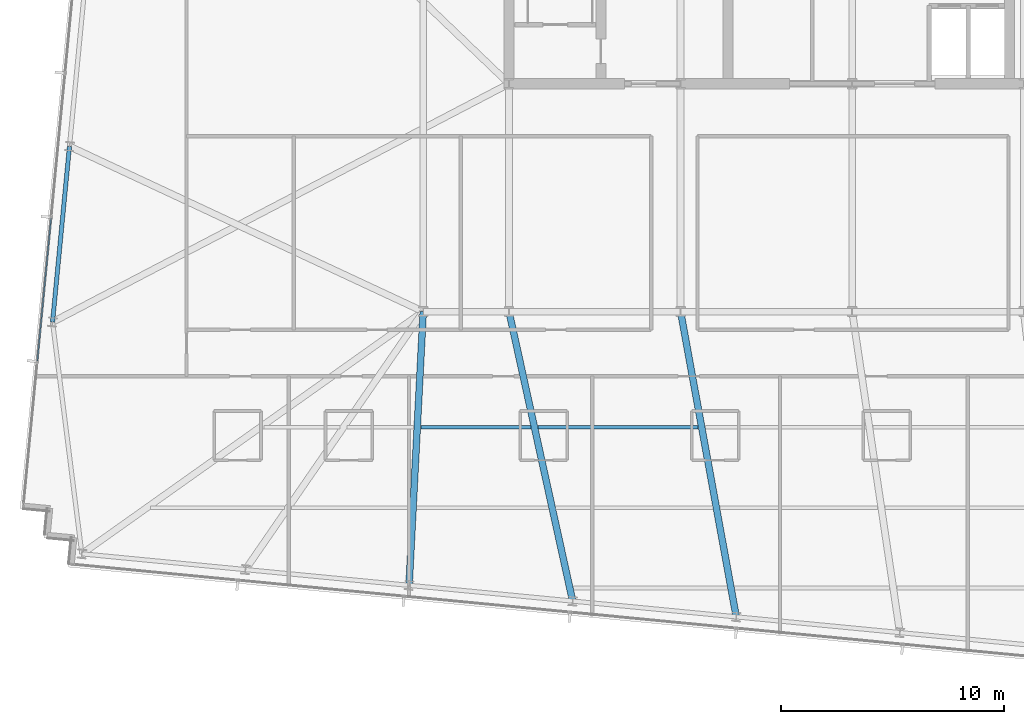
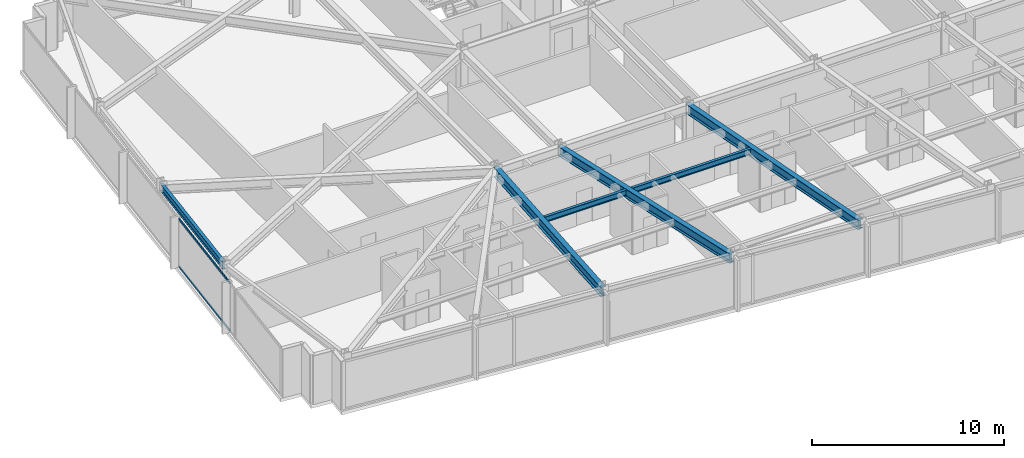
# One storey, part 7 of 37: 6 beams, 2 members, 1 element without a shape of its own.
"""IFC4 building model written with IfcOpenShell, lengths in metres."""

from ifc_helpers import new_model, si_unit, direction, frame, origin, origin_2d, place, context, subcontext, project, spatial, hollow_rectangle, i_section, extrude, material, material_profile, profile_set, type_object, element, aggregate, save


model = new_model("IFC4")

# Units and contexts
model_context = context("Model", 3, precision=1e-05, world=origin(), true_north=direction((0.0, 1.0)))
body_context = subcontext(model_context, "Body", "Model", "MODEL_VIEW")
ifc_project = project(units=[si_unit("LENGTHUNIT", "METRE"), si_unit("AREAUNIT", "SQUARE_METRE"), si_unit("VOLUMEUNIT", "CUBIC_METRE"), si_unit("PLANEANGLEUNIT", "RADIAN"), si_unit("MASSUNIT", "GRAM", prefix="KILO")], contexts=[model_context])

# Site, building, storey
site_placement = place(None, origin())
site = spatial("IfcSite", under=ifc_project, at=site_placement, CompositionType="ELEMENT")
building_placement = place(site_placement, origin())
building = spatial("IfcBuilding", under=site, at=building_placement, Name="Yelkora Congress Tower", CompositionType="ELEMENT")
storey_placement = place(building_placement, frame((0.0, 0.0, 168.800048828125)))
storey = spatial("IfcBuildingStorey", under=building, at=storey_placement, Name="L46", CompositionType="ELEMENT", Elevation=168.800048828125)

# Beams
ifc_material_1 = material(Name="Steel S355J2", Category="steel")
ifc_material_profile_1 = material_profile(ifc_material_1, i_section(OverallWidth=0.300048828125, OverallDepth=0.60009765625, WebThickness=0.015380859375, FlangeThickness=0.030029296875, FilletRadius=0.027099609375, at=origin_2d()), Name="HEB 600")
ifc_profile_set_1 = profile_set([ifc_material_profile_1], Name="Steel S355J2")
beam_type_1 = type_object("IfcBeamType", Name="BM-GIRD-HEB600", PredefinedType="BEAM", material=ifc_profile_set_1)
beam_1_placement = place(storey_placement, frame((18.56591796875, 12.947021484375, 2.780029296875), z_axis=(0.051676299428, 0.99866388744, 0.0), x_axis=(-0.99866388744, 0.051676299428, 0.0)))
element("IfcBeam", 1, at=beam_1_placement, inside=storey, type_object=beam_type_1, Name="L46 Primary Frame Girder S03", PredefinedType="BEAM", context=body_context, shape_type="SweptSolid", body=[
    extrude(i_section(OverallWidth=0.300048828125, OverallDepth=0.60009765625, WebThickness=0.015380859375, FlangeThickness=0.030029296875, FilletRadius=0.027099609375, at=origin_2d()), origin(), (0.0, 0.0, 1.0), 12.269287109375),
])
beam_2_placement = place(storey_placement, frame((25.888916015625, 12.24169921875, 2.780029296875), z_axis=(-0.214722420774, 0.976675115899, 0.0), x_axis=(-0.976675115899, -0.214722420774, 0.0)))
element("IfcBeam", 2, at=beam_2_placement, inside=storey, type_object=beam_type_1, Name="L46 Primary Frame Girder S04", PredefinedType="BEAM", context=body_context, shape_type="SweptSolid", body=[
    extrude(i_section(OverallWidth=0.300048828125, OverallDepth=0.60009765625, WebThickness=0.015380859375, FlangeThickness=0.030029296875, FilletRadius=0.027099609375, at=origin_2d()), origin(), (0.0, 0.0, 1.0), 13.267822265625),
])
beam_3_placement = place(storey_placement, frame((33.21240234375, 11.53662109375, 2.780029296875), z_axis=(-0.179456208566, 0.983765962619, 0.0), x_axis=(-0.983765962619, -0.179456208566, 0.0)))
element("IfcBeam", 3, at=beam_3_placement, inside=storey, type_object=beam_type_1, Name="L46 Primary Frame Girder S05", PredefinedType="BEAM", context=body_context, shape_type="SweptSolid", body=[
    extrude(i_section(OverallWidth=0.300048828125, OverallDepth=0.60009765625, WebThickness=0.015380859375, FlangeThickness=0.030029296875, FilletRadius=0.027099609375, at=origin_2d()), origin(), (0.0, 0.0, 1.0), 13.888916015625),
])
ifc_material_profile_2 = material_profile(ifc_material_1, i_section(OverallWidth=0.169921875, OverallDepth=0.360107421875, WebThickness=0.008056640625, FlangeThickness=0.0126953125, FilletRadius=0.01806640625, at=origin_2d()), Name="IPE 360")
ifc_profile_set_2 = profile_set([ifc_material_profile_2], Name="Steel S355J2")
beam_type_2 = type_object("IfcBeamType", Name="BM-JOIST-IPE360", PredefinedType="JOIST", material=ifc_profile_set_2)
beam_4_placement = place(storey_placement, frame((19.092041015625, 20.021240234375, 2.89990234375), z_axis=(1.0, 0.0, 0.0), x_axis=(0.0, 1.0, 0.0)))
element("IfcBeam", 4, at=beam_4_placement, inside=storey, type_object=beam_type_2, Name="L46 Composite Floor Joist 14", PredefinedType="JOIST", context=body_context, shape_type="SweptSolid", body=[
    extrude(i_section(OverallWidth=0.169921875, OverallDepth=0.360107421875, WebThickness=0.008056640625, FlangeThickness=0.0126953125, FilletRadius=0.01806640625, at=origin_2d()), origin(), (0.0, 0.0, 1.0), 4.926513671875),
])
beam_5_placement = place(storey_placement, frame((24.338623046875, 20.021240234375, 2.89990234375), z_axis=(1.0, 0.0, 0.0), x_axis=(0.0, 1.0, 0.0)))
element("IfcBeam", 5, at=beam_5_placement, inside=storey, type_object=beam_type_2, Name="L46 Composite Floor Joist 15", PredefinedType="JOIST", context=body_context, shape_type="SweptSolid", body=[
    extrude(i_section(OverallWidth=0.169921875, OverallDepth=0.360107421875, WebThickness=0.008056640625, FlangeThickness=0.0126953125, FilletRadius=0.01806640625, at=origin_2d()), origin(), (0.0, 0.0, 1.0), 7.166015625),
])
ifc_material_profile_3 = material_profile(ifc_material_1, i_section(OverallWidth=0.18994140625, OverallDepth=0.449951171875, WebThickness=0.009521484375, FlangeThickness=0.0146484375, FilletRadius=0.02099609375, at=origin_2d()), Name="IPE 450")
ifc_profile_set_3 = profile_set([ifc_material_profile_3], Name="Steel S355J2")
beam_type_3 = type_object("IfcBeamType", Name="BM-SPAN-IPE450", PredefinedType="SPANDREL", material=ifc_profile_set_3)
beam_6_placement = place(storey_placement, frame((3.364501953125, 32.594482421875, 2.85498046875), z_axis=(-0.095831353931, -0.995397584689, 0.0), x_axis=(0.995397584689, -0.095831353931, 0.0)))
element("IfcBeam", 6, at=beam_6_placement, inside=storey, type_object=beam_type_3, Name="L46 Perimeter Beam 18", PredefinedType="SPANDREL", context=body_context, shape_type="SweptSolid", body=[
    extrude(i_section(OverallWidth=0.18994140625, OverallDepth=0.449951171875, WebThickness=0.009521484375, FlangeThickness=0.0146484375, FilletRadius=0.02099609375, at=origin_2d()), origin(), (0.0, 0.0, 1.0), 7.900146484375),
])

# Curtain wall, members
ifc_material_2 = material(Name="Anodised aluminium and insulated glass", Category="aluminium")
curtain_wall_type = type_object("IfcCurtainWallType", Name="CW-SYS-B3", PredefinedType="NOTDEFINED", material=ifc_material_2)
curtain_wall_placement = place(storey_placement, origin())
curtain_wall = element("IfcCurtainWall", 7, at=curtain_wall_placement, inside=storey, type_object=curtain_wall_type, Name="L46 Unitised Curtain Wall 5", PredefinedType="NOTDEFINED")
ifc_material_3 = material(Name="Anodised aluminium 6063-T6", Category="aluminium")
ifc_material_profile_4 = material_profile(ifc_material_3, hollow_rectangle(XDim=0.06005859375, YDim=0.1298828125, WallThickness=0.00390625, at=origin_2d()), Name="ALU 60x130x4")
ifc_profile_set_4 = profile_set([ifc_material_profile_4], Name="Anodised aluminium 6063-T6")
member_type = type_object("IfcMemberType", Name="MEM-TR-B3", PredefinedType="USERDEFINED", material=ifc_profile_set_4)
member_1_placement = place(storey_placement, frame((1.92822265625, 22.996826171875, 0.030029296875), z_axis=(0.095843682057, 0.995396397728, 0.0), x_axis=(-0.995396397728, 0.095843682057, 0.0)))
member_1 = element("IfcMember", 8, at=member_1_placement, type_object=member_type, Name="CW-B3 transom 2.1", ObjectType="TRANSOM", PredefinedType="USERDEFINED", context=body_context, shape_type="SweptSolid", body=[
    extrude(hollow_rectangle(XDim=0.06005859375, YDim=0.1298828125, WallThickness=0.00390625, at=origin_2d()), origin(), (0.0, 0.0, 1.0), 6.4140625),
])
member_2_placement = place(storey_placement, frame((1.92822265625, 22.996826171875, 3.050048828125), z_axis=(0.095843682057, 0.995396397728, 0.0), x_axis=(-0.995396397728, 0.095843682057, 0.0)))
member_2 = element("IfcMember", 9, at=member_2_placement, type_object=member_type, Name="CW-B3 transom 2.2", ObjectType="TRANSOM", PredefinedType="USERDEFINED", context=body_context, shape_type="SweptSolid", body=[
    extrude(hollow_rectangle(XDim=0.06005859375, YDim=0.1298828125, WallThickness=0.00390625, at=origin_2d()), origin(), (0.0, 0.0, 1.0), 6.4140625),
])
aggregate(curtain_wall, [member_1, member_2])

save(model, "model.ifc")
